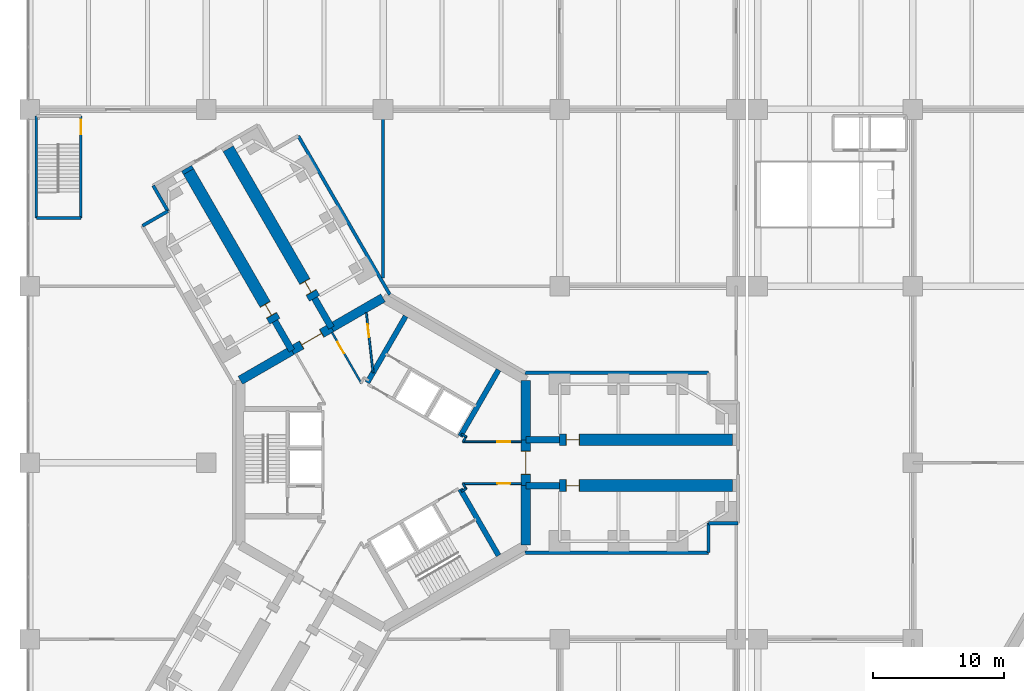
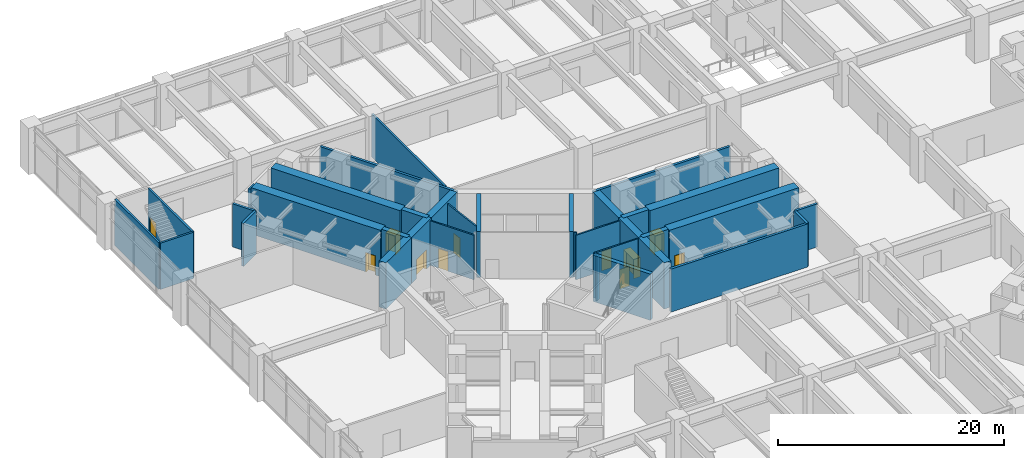
# One storey, part 23 of 31: 37 walls, 11 doors, 11 openings.
"""IFC4 building model written with IfcOpenShell, lengths in metres."""

from ifc_helpers import new_model, si_unit, direction, frame, frame_2d, origin, place, context, subcontext, project, spatial, rectangle, extrude, material, layer, layer_set, type_object, element, fill, save


model = new_model("IFC4")

# Units and contexts
model_context = context("Model", 3, precision=1e-05, world=origin(), true_north=direction((0.0, 1.0)))
body_context = subcontext(model_context, "Body", "Model", "MODEL_VIEW")
ifc_project = project(units=[si_unit("LENGTHUNIT", "METRE"), si_unit("AREAUNIT", "SQUARE_METRE"), si_unit("VOLUMEUNIT", "CUBIC_METRE"), si_unit("PLANEANGLEUNIT", "RADIAN"), si_unit("MASSUNIT", "GRAM", prefix="KILO")], contexts=[model_context])

# Site, building, storey
site_placement = place(None, origin())
site = spatial("IfcSite", under=ifc_project, at=site_placement, CompositionType="ELEMENT")
building_placement = place(site_placement, origin())
building = spatial("IfcBuilding", under=site, at=building_placement, Name="Upepo Twin Towers", CompositionType="ELEMENT")
storey_placement = place(building_placement, frame((0.0, 0.0, 15.5)))
storey = spatial("IfcBuildingStorey", under=building, at=storey_placement, Name="L03", CompositionType="ELEMENT", Elevation=15.5)

# Walls
ifc_material_1 = material(Name="Dense concrete blockwork", Category="masonry")
ifc_layer_1 = layer(ifc_material_1, 0.89990234375)
ifc_layer_set_1 = layer_set([ifc_layer_1], Name="Buttress closer 900, blockwork with fire-stopping to the curtain wall")
wall_type_1 = type_object("IfcWallType", Name="Buttress closer 900, blockwork with fire-stopping to the curtain wall", PredefinedType="PARTITIONING", material=ifc_layer_set_1)
wall_1_placement = place(storey_placement, frame((-14.865478515625, 22.247802734375, 0.0), z_axis=(0.0, 0.0, 1.0), x_axis=(-0.500426713919, 0.865778900179, 0.0)))
element("IfcWall", 1, at=wall_1_placement, inside=storey, type_object=wall_type_1, Name="T1 L03 wing B buttress closer L", PredefinedType="PARTITIONING", context=body_context, shape_type="SweptSolid", body=[
    extrude(rectangle(XDim=0.300048828125, YDim=0.89990234375, at=frame_2d((0.14990234375, 0.0))), origin(), (0.0, 0.0, 1.0), 4.800048828125),
])
ifc_material_2 = material(Name="Concrete C60/75", Category="concrete")
ifc_layer_2 = layer(ifc_material_2, 0.5)
ifc_layer_set_2 = layer_set([ifc_layer_2], Name="Concrete C60/75")
wall_type_2 = type_object("IfcWallType", Name="Buttress wall 500 RC", PredefinedType="SHEAR", material=ifc_layer_set_2)
for number, where, z_axis, x_axis, name in (
    (2, (10.908447265625, 1.75, 0.0), (0.0, 0.0, 1.0), (1.0, 0.0, 0.0), "T1 wing A buttress wall L"),
    (3, (10.908447265625, -1.75, 0.0), (0.0, 0.0, 1.0), (1.0, 0.0, 0.0), "T1 wing A buttress wall R"),
):
    element("IfcWall", number, at=place(storey_placement, frame(where, z_axis=z_axis, x_axis=x_axis)), inside=storey, type_object=wall_type_2, Name=name, PredefinedType="SHEAR", context=body_context, shape_type="SweptSolid", body=[
        extrude(rectangle(XDim=2.591552734375, YDim=0.5, at=frame_2d((1.2958984375, 0.0))), origin(), (0.0, 0.0, 1.0), 5.0),
    ])
for number, where, z_axis, x_axis, name in (
    (4, (-6.9697265625, 8.57177734375, 0.0), (0.0, 0.0, 1.0), (-0.499988811324, 0.866031863473, 0.0), "T1 wing B buttress wall L"),
    (5, (-3.938720703125, 10.32177734375, 0.0), (0.0, 0.0, 1.0), (-0.499918158782, 0.866072649678, 0.0), "T1 wing B buttress wall R"),
):
    element("IfcWall", number, at=place(storey_placement, frame(where, z_axis=z_axis, x_axis=x_axis)), inside=storey, type_object=wall_type_2, Name=name, PredefinedType="SHEAR", context=body_context, shape_type="SweptSolid", body=[
        extrude(rectangle(XDim=2.591796875, YDim=0.5, at=frame_2d((1.2958984375, 0.0))), origin(), (0.0, 0.0, 1.0), 5.0),
    ])

# Wall, opening, door
ifc_material_3 = material(Name="Concrete C60/75", Category="concrete")
ifc_layer_3 = layer(ifc_material_3, 0.89990234375)
ifc_layer_set_3 = layer_set([ifc_layer_3], Name="Concrete C60/75")
wall_type_3 = type_object("IfcWallType", Name="Buttress wall 900 RC", PredefinedType="SHEAR", material=ifc_layer_set_3)
wall_2_placement = place(storey_placement, frame((13.5, 1.75, 0.0), z_axis=(0.0, 0.0, 1.0), x_axis=(1.0, 0.0, 0.0)))
wall_2 = element("IfcWall", 6, at=wall_2_placement, inside=storey, type_object=wall_type_3, Name="T1 wing A buttress wall L part 2", PredefinedType="SHEAR", context=body_context, shape_type="SweptSolid", body=[
    extrude(rectangle(XDim=13.199951171875, YDim=0.89990234375, at=frame_2d((6.60009765625, 0.0))), origin(), (0.0, 0.0, 1.0), 5.0),
])
opening_1_placement = place(wall_2_placement, frame((0.5, 0.0, 0.0)))
opening_1 = element("IfcOpeningElement", 7, at=opening_1_placement, cuts=wall_2, Name="Opening D1", PredefinedType="OPENING", context=body_context, shape_type="SweptSolid", body=[
    extrude(rectangle(XDim=1.0, YDim=2.10009765625, at=frame_2d((0.5, 1.050048828125))), frame((0.0, 0.4599609375, 0.0), z_axis=(0.0, -1.0, 0.0), x_axis=(1.0, 0.0, 0.0)), (0.0, 0.0, 1.0), 0.919921875),
])
ifc_material_4 = material(Name="Timber doorset", Category="wood")
door_type_1 = type_object("IfcDoorType", Name="Room door 1000 FD30", OperationType="SINGLE_SWING_LEFT", PredefinedType="DOOR", material=ifc_material_4)
door_1_placement = place(opening_1_placement, origin())
door_1 = element("IfcDoor", 8, at=door_1_placement, inside=storey, type_object=door_type_1, Name="T1 L03 research office door", OperationType="SINGLE_SWING_LEFT", OverallHeight=2.10009765625, OverallWidth=1.0, PredefinedType="DOOR", context=body_context, shape_type="SweptSolid", body=[
    extrude(rectangle(XDim=0.92, YDim=2.06009765625, at=frame_2d((0.5, 1.030029296875))), frame((0.0, 0.02490234375, 0.0), z_axis=(0.0, -1.0, 0.0), x_axis=(1.0, 0.0, 0.0)), (0.0, 0.0, 1.0), 0.050048828125),
    extrude(rectangle(XDim=0.04, YDim=2.10009765625, at=frame_2d((0.02001953125, 1.050048828125))), frame((0.0, 0.44970703125, 0.0), z_axis=(0.0, -1.0, 0.0), x_axis=(1.0, 0.0, 0.0)), (0.0, 0.0, 1.0), 0.8994140625),
    extrude(rectangle(XDim=0.04, YDim=2.10009765625, at=frame_2d((0.97998046875, 1.050048828125))), frame((0.0, 0.44970703125, 0.0), z_axis=(0.0, -1.0, 0.0), x_axis=(1.0, 0.0, 0.0)), (0.0, 0.0, 1.0), 0.8994140625),
    extrude(rectangle(XDim=0.92, YDim=0.04, at=frame_2d((0.5, 2.080078125))), frame((0.0, 0.44970703125, 0.0), z_axis=(0.0, -1.0, 0.0), x_axis=(1.0, 0.0, 0.0)), (0.0, 0.0, 1.0), 0.8994140625),
])
fill(opening_1, door_1)

wall_3_placement = place(storey_placement, frame((13.5, -1.75, 0.0), z_axis=(0.0, 0.0, 1.0), x_axis=(1.0, 0.0, 0.0)))
wall_3 = element("IfcWall", 9, at=wall_3_placement, inside=storey, type_object=wall_type_3, Name="T1 wing A buttress wall R part 2", PredefinedType="SHEAR", context=body_context, shape_type="SweptSolid", body=[
    extrude(rectangle(XDim=13.199951171875, YDim=0.89990234375, at=frame_2d((6.60009765625, 0.0))), origin(), (0.0, 0.0, 1.0), 5.0),
])
opening_2_placement = place(wall_3_placement, frame((0.5, 0.0, 0.0)))
opening_2 = element("IfcOpeningElement", 10, at=opening_2_placement, cuts=wall_3, Name="Opening D1", PredefinedType="OPENING", context=body_context, shape_type="SweptSolid", body=[
    extrude(rectangle(XDim=1.0, YDim=2.10009765625, at=frame_2d((0.5, 1.050048828125))), frame((0.0, 0.4599609375, 0.0), z_axis=(0.0, -1.0, 0.0), x_axis=(1.0, 0.0, 0.0)), (0.0, 0.0, 1.0), 0.919921875),
])
door_2_placement = place(opening_2_placement, origin())
door_2 = element("IfcDoor", 11, at=door_2_placement, inside=storey, type_object=door_type_1, Name="T1 L03 research office door", OperationType="SINGLE_SWING_LEFT", OverallHeight=2.10009765625, OverallWidth=1.0, PredefinedType="DOOR", context=body_context, shape_type="SweptSolid", body=[
    extrude(rectangle(XDim=0.92, YDim=2.06009765625, at=frame_2d((0.5, 1.030029296875))), frame((0.0, 0.02490234375, 0.0), z_axis=(0.0, -1.0, 0.0), x_axis=(1.0, 0.0, 0.0)), (0.0, 0.0, 1.0), 0.050048828125),
    extrude(rectangle(XDim=0.04, YDim=2.10009765625, at=frame_2d((0.02001953125, 1.050048828125))), frame((0.0, 0.44970703125, 0.0), z_axis=(0.0, -1.0, 0.0), x_axis=(1.0, 0.0, 0.0)), (0.0, 0.0, 1.0), 0.8994140625),
    extrude(rectangle(XDim=0.04, YDim=2.10009765625, at=frame_2d((0.97998046875, 1.050048828125))), frame((0.0, 0.44970703125, 0.0), z_axis=(0.0, -1.0, 0.0), x_axis=(1.0, 0.0, 0.0)), (0.0, 0.0, 1.0), 0.8994140625),
    extrude(rectangle(XDim=0.92, YDim=0.04, at=frame_2d((0.5, 2.080078125))), frame((0.0, 0.44970703125, 0.0), z_axis=(0.0, -1.0, 0.0), x_axis=(1.0, 0.0, 0.0)), (0.0, 0.0, 1.0), 0.8994140625),
])
fill(opening_2, door_2)

wall_4_placement = place(storey_placement, frame((-8.265625, 10.81640625, 0.0), z_axis=(0.0, 0.0, 1.0), x_axis=(-0.499996231654, 0.866027579429, 0.0)))
wall_4 = element("IfcWall", 12, at=wall_4_placement, inside=storey, type_object=wall_type_3, Name="T1 wing B buttress wall L part 2", PredefinedType="SHEAR", context=body_context, shape_type="SweptSolid", body=[
    extrude(rectangle(XDim=13.19970703125, YDim=0.89990234375, at=frame_2d((6.599853515625, 0.0))), origin(), (0.0, 0.0, 1.0), 5.0),
])
opening_3_placement = place(wall_4_placement, frame((0.5, 0.0, 0.0)))
opening_3 = element("IfcOpeningElement", 13, at=opening_3_placement, cuts=wall_4, Name="Opening D1", PredefinedType="OPENING", context=body_context, shape_type="SweptSolid", body=[
    extrude(rectangle(XDim=1.0, YDim=2.10009765625, at=frame_2d((0.5, 1.050048828125))), frame((0.0, 0.4599609375, 0.0), z_axis=(0.0, -1.0, 0.0), x_axis=(1.0, 0.0, 0.0)), (0.0, 0.0, 1.0), 0.919921875),
])
door_3_placement = place(opening_3_placement, origin())
door_3 = element("IfcDoor", 14, at=door_3_placement, inside=storey, type_object=door_type_1, Name="T1 L03 research office door", OperationType="SINGLE_SWING_LEFT", OverallHeight=2.10009765625, OverallWidth=1.0, PredefinedType="DOOR", context=body_context, shape_type="SweptSolid", body=[
    extrude(rectangle(XDim=0.92, YDim=2.06009765625, at=frame_2d((0.5, 1.030029296875))), frame((0.0, 0.02490234375, 0.0), z_axis=(0.0, -1.0, 0.0), x_axis=(1.0, 0.0, 0.0)), (0.0, 0.0, 1.0), 0.050048828125),
    extrude(rectangle(XDim=0.04, YDim=2.10009765625, at=frame_2d((0.02001953125, 1.050048828125))), frame((0.0, 0.44970703125, 0.0), z_axis=(0.0, -1.0, 0.0), x_axis=(1.0, 0.0, 0.0)), (0.0, 0.0, 1.0), 0.8994140625),
    extrude(rectangle(XDim=0.04, YDim=2.10009765625, at=frame_2d((0.97998046875, 1.050048828125))), frame((0.0, 0.44970703125, 0.0), z_axis=(0.0, -1.0, 0.0), x_axis=(1.0, 0.0, 0.0)), (0.0, 0.0, 1.0), 0.8994140625),
    extrude(rectangle(XDim=0.92, YDim=0.04, at=frame_2d((0.5, 2.080078125))), frame((0.0, 0.44970703125, 0.0), z_axis=(0.0, -1.0, 0.0), x_axis=(1.0, 0.0, 0.0)), (0.0, 0.0, 1.0), 0.8994140625),
])
fill(opening_3, door_3)

wall_5_placement = place(storey_placement, frame((-5.234375, 12.56640625, 0.0), z_axis=(0.0, 0.0, 1.0), x_axis=(-0.500010103361, 0.866019570528, 0.0)))
wall_5 = element("IfcWall", 15, at=wall_5_placement, inside=storey, type_object=wall_type_3, Name="T1 wing B buttress wall R part 2", PredefinedType="SHEAR", context=body_context, shape_type="SweptSolid", body=[
    extrude(rectangle(XDim=13.199951171875, YDim=0.89990234375, at=frame_2d((6.60009765625, 0.0))), origin(), (0.0, 0.0, 1.0), 5.0),
])
opening_4_placement = place(wall_5_placement, frame((0.5, 0.0, 0.0)))
opening_4 = element("IfcOpeningElement", 16, at=opening_4_placement, cuts=wall_5, Name="Opening D1", PredefinedType="OPENING", context=body_context, shape_type="SweptSolid", body=[
    extrude(rectangle(XDim=1.0, YDim=2.10009765625, at=frame_2d((0.5, 1.050048828125))), frame((0.0, 0.4599609375, 0.0), z_axis=(0.0, -1.0, 0.0), x_axis=(1.0, 0.0, 0.0)), (0.0, 0.0, 1.0), 0.919921875),
])
door_4_placement = place(opening_4_placement, origin())
door_4 = element("IfcDoor", 17, at=door_4_placement, inside=storey, type_object=door_type_1, Name="T1 L03 research office door", OperationType="SINGLE_SWING_LEFT", OverallHeight=2.10009765625, OverallWidth=1.0, PredefinedType="DOOR", context=body_context, shape_type="SweptSolid", body=[
    extrude(rectangle(XDim=0.92, YDim=2.06009765625, at=frame_2d((0.5, 1.030029296875))), frame((0.0, 0.02490234375, 0.0), z_axis=(0.0, -1.0, 0.0), x_axis=(1.0, 0.0, 0.0)), (0.0, 0.0, 1.0), 0.050048828125),
    extrude(rectangle(XDim=0.04, YDim=2.10009765625, at=frame_2d((0.02001953125, 1.050048828125))), frame((0.0, 0.44970703125, 0.0), z_axis=(0.0, -1.0, 0.0), x_axis=(1.0, 0.0, 0.0)), (0.0, 0.0, 1.0), 0.8994140625),
    extrude(rectangle(XDim=0.04, YDim=2.10009765625, at=frame_2d((0.97998046875, 1.050048828125))), frame((0.0, 0.44970703125, 0.0), z_axis=(0.0, -1.0, 0.0), x_axis=(1.0, 0.0, 0.0)), (0.0, 0.0, 1.0), 0.8994140625),
    extrude(rectangle(XDim=0.92, YDim=0.04, at=frame_2d((0.5, 2.080078125))), frame((0.0, 0.44970703125, 0.0), z_axis=(0.0, -1.0, 0.0), x_axis=(1.0, 0.0, 0.0)), (0.0, 0.0, 1.0), 0.8994140625),
])
fill(opening_4, door_4)

# Wall
ifc_material_5 = material(Name="Concrete C60/75", Category="concrete")
ifc_layer_4 = layer(ifc_material_5, 0.699951171875)
ifc_layer_set_4 = layer_set([ifc_layer_4], Name="Concrete C60/75")
wall_type_4 = type_object("IfcWallType", Name="Core wall 700 RC", PredefinedType="SHEAR", material=ifc_layer_set_4)
wall_6_placement = place(storey_placement, frame((10.908447265625, -6.2978515625, 0.0), z_axis=(0.0, 0.0, 1.0), x_axis=(0.0, 1.0, 0.0)))
element("IfcWall", 18, at=wall_6_placement, inside=storey, type_object=wall_type_4, Name="T1 core wall 000 R", PredefinedType="SHEAR", context=body_context, shape_type="SweptSolid", body=[
    extrude(rectangle(XDim=4.5478515625, YDim=0.699951171875, at=frame_2d((2.27392578125, 0.0))), origin(), (0.0, 0.0, 1.0), 5.0),
])

# Wall, opening, door
wall_7_placement = place(storey_placement, frame((10.908447265625, -1.75, 0.0), z_axis=(0.0, 0.0, 1.0), x_axis=(0.0, 1.0, 0.0)))
wall_7 = element("IfcWall", 19, at=wall_7_placement, inside=storey, type_object=wall_type_4, Name="T1 core wall 000", PredefinedType="SHEAR", context=body_context, shape_type="SweptSolid", body=[
    extrude(rectangle(XDim=3.5, YDim=0.699951171875, at=frame_2d((1.75, 0.0))), origin(), (0.0, 0.0, 1.0), 5.0),
])
opening_5_placement = place(wall_7_placement, frame((0.85009765625, 0.0, 0.0)))
opening_5 = element("IfcOpeningElement", 20, at=opening_5_placement, cuts=wall_7, Name="Opening D2", PredefinedType="OPENING", context=body_context, shape_type="SweptSolid", body=[
    extrude(rectangle(XDim=1.800048828125, YDim=2.10009765625, at=frame_2d((0.89990234375, 1.050048828125))), frame((0.0, 0.35986328125, 0.0), z_axis=(0.0, -1.0, 0.0), x_axis=(1.0, 0.0, 0.0)), (0.0, 0.0, 1.0), 0.719970703125),
])
ifc_material_6 = material(Name="Timber doorset", Category="wood")
door_type_2 = type_object("IfcDoorType", Name="Corridor double door 1800 FD60", OperationType="DOUBLE_DOOR_DOUBLE_SWING", PredefinedType="DOOR", material=ifc_material_6)
door_5_placement = place(opening_5_placement, origin())
door_5 = element("IfcDoor", 21, at=door_5_placement, inside=storey, type_object=door_type_2, Name="T1 L03 wing A corridor door", OperationType="DOUBLE_DOOR_DOUBLE_SWING", OverallHeight=2.10009765625, OverallWidth=1.800048828125, PredefinedType="DOOR", context=body_context, shape_type="SweptSolid", body=[
    extrude(rectangle(XDim=1.720048828125, YDim=2.06009765625, at=frame_2d((0.89990234375, 1.030029296875))), frame((0.0, 0.02490234375, 0.0), z_axis=(0.0, -1.0, 0.0), x_axis=(1.0, 0.0, 0.0)), (0.0, 0.0, 1.0), 0.050048828125),
    extrude(rectangle(XDim=0.04, YDim=2.10009765625, at=frame_2d((0.02001953125, 1.050048828125))), frame((0.0, 0.349609375, 0.0), z_axis=(0.0, -1.0, 0.0), x_axis=(1.0, 0.0, 0.0)), (0.0, 0.0, 1.0), 0.699462890625),
    extrude(rectangle(XDim=0.04, YDim=2.10009765625, at=frame_2d((1.780029296875, 1.050048828125))), frame((0.0, 0.349609375, 0.0), z_axis=(0.0, -1.0, 0.0), x_axis=(1.0, 0.0, 0.0)), (0.0, 0.0, 1.0), 0.699462890625),
    extrude(rectangle(XDim=1.720048828125, YDim=0.04, at=frame_2d((0.89990234375, 2.080078125))), frame((0.0, 0.349609375, 0.0), z_axis=(0.0, -1.0, 0.0), x_axis=(1.0, 0.0, 0.0)), (0.0, 0.0, 1.0), 0.699462890625),
])
fill(opening_5, door_5)

# Walls
wall_8_placement = place(storey_placement, frame((10.908447265625, 1.75, 0.0), z_axis=(0.0, 0.0, 1.0), x_axis=(0.0, 1.0, 0.0)))
element("IfcWall", 22, at=wall_8_placement, inside=storey, type_object=wall_type_4, Name="T1 core wall 000 L", PredefinedType="SHEAR", context=body_context, shape_type="SweptSolid", body=[
    extrude(rectangle(XDim=4.5478515625, YDim=0.699951171875, at=frame_2d((2.27392578125, 0.0))), origin(), (0.0, 0.0, 1.0), 5.0),
])
wall_9_placement = place(storey_placement, frame((0.0, 12.595947265625, 0.0), z_axis=(0.0, 0.0, 1.0), x_axis=(-0.866011268655, -0.500024481964, 0.0)))
element("IfcWall", 23, at=wall_9_placement, inside=storey, type_object=wall_type_4, Name="T1 core wall 120 R", PredefinedType="SHEAR", context=body_context, shape_type="SweptSolid", body=[
    extrude(rectangle(XDim=4.548095703125, YDim=0.699951171875, at=frame_2d((2.27392578125, 0.0))), origin(), (0.0, 0.0, 1.0), 5.0),
])

# Wall, opening, door
wall_10_placement = place(storey_placement, frame((-3.938720703125, 10.32177734375, 0.0), z_axis=(0.0, 0.0, 1.0), x_axis=(-0.866019471182, -0.500010275428, 0.0)))
wall_10 = element("IfcWall", 24, at=wall_10_placement, inside=storey, type_object=wall_type_4, Name="T1 core wall 120", PredefinedType="SHEAR", context=body_context, shape_type="SweptSolid", body=[
    extrude(rectangle(XDim=3.5, YDim=0.699951171875, at=frame_2d((1.75, 0.0))), origin(), (0.0, 0.0, 1.0), 5.0),
])
opening_6_placement = place(wall_10_placement, frame((0.85009765625, 0.0, 0.0)))
opening_6 = element("IfcOpeningElement", 25, at=opening_6_placement, cuts=wall_10, Name="Opening D2", PredefinedType="OPENING", context=body_context, shape_type="SweptSolid", body=[
    extrude(rectangle(XDim=1.800048828125, YDim=2.10009765625, at=frame_2d((0.89990234375, 1.050048828125))), frame((0.0, 0.35986328125, 0.0), z_axis=(0.0, -1.0, 0.0), x_axis=(1.0, 0.0, 0.0)), (0.0, 0.0, 1.0), 0.719970703125),
])
door_6_placement = place(opening_6_placement, origin())
door_6 = element("IfcDoor", 26, at=door_6_placement, inside=storey, type_object=door_type_2, Name="T1 L03 wing B corridor door", OperationType="DOUBLE_DOOR_DOUBLE_SWING", OverallHeight=2.10009765625, OverallWidth=1.800048828125, PredefinedType="DOOR", context=body_context, shape_type="SweptSolid", body=[
    extrude(rectangle(XDim=1.720048828125, YDim=2.06009765625, at=frame_2d((0.89990234375, 1.030029296875))), frame((0.0, 0.02490234375, 0.0), z_axis=(0.0, -1.0, 0.0), x_axis=(1.0, 0.0, 0.0)), (0.0, 0.0, 1.0), 0.050048828125),
    extrude(rectangle(XDim=0.04, YDim=2.10009765625, at=frame_2d((0.02001953125, 1.050048828125))), frame((0.0, 0.349609375, 0.0), z_axis=(0.0, -1.0, 0.0), x_axis=(1.0, 0.0, 0.0)), (0.0, 0.0, 1.0), 0.699462890625),
    extrude(rectangle(XDim=0.04, YDim=2.10009765625, at=frame_2d((1.780029296875, 1.050048828125))), frame((0.0, 0.349609375, 0.0), z_axis=(0.0, -1.0, 0.0), x_axis=(1.0, 0.0, 0.0)), (0.0, 0.0, 1.0), 0.699462890625),
    extrude(rectangle(XDim=1.720048828125, YDim=0.04, at=frame_2d((0.89990234375, 2.080078125))), frame((0.0, 0.349609375, 0.0), z_axis=(0.0, -1.0, 0.0), x_axis=(1.0, 0.0, 0.0)), (0.0, 0.0, 1.0), 0.699462890625),
])
fill(opening_6, door_6)

# Walls
wall_11_placement = place(storey_placement, frame((-6.9697265625, 8.57177734375, 0.0), z_axis=(0.0, 0.0, 1.0), x_axis=(-0.866034513004, -0.499984222037, 0.0)))
element("IfcWall", 27, at=wall_11_placement, inside=storey, type_object=wall_type_4, Name="T1 core wall 120 L", PredefinedType="SHEAR", context=body_context, shape_type="SweptSolid", body=[
    extrude(rectangle(XDim=4.548095703125, YDim=0.699951171875, at=frame_2d((2.27392578125, 0.0))), origin(), (0.0, 0.0, 1.0), 5.0),
])
ifc_material_7 = material(Name="Concrete blockwork", Category="masonry")
ifc_layer_5 = layer(ifc_material_7, 0.199951171875)
ifc_layer_set_5 = layer_set([ifc_layer_5], Name="Podium partition 200 blockwork")
wall_type_5 = type_object("IfcWallType", Name="Podium partition 200 blockwork", PredefinedType="PARTITIONING", material=ifc_layer_set_5)
wall_12_placement = place(storey_placement, frame((0.0, 14.10009765625, 0.0), z_axis=(0.0, 0.0, 1.0), x_axis=(0.0, 1.0, 0.0)))
element("IfcWall", 28, at=wall_12_placement, inside=storey, type_object=wall_type_5, Name="L03 podium wall X24", PredefinedType="PARTITIONING", context=body_context, shape_type="SweptSolid", body=[
    extrude(rectangle(XDim=12.89990234375, YDim=0.199951171875, at=frame_2d((6.449951171875, 0.0))), origin(), (0.0, 0.0, 1.0), 4.64990234375),
])
ifc_material_8 = material(Name="Concrete C40/50", Category="concrete")
ifc_layer_6 = layer(ifc_material_8, 0.199951171875)
ifc_layer_set_6 = layer_set([ifc_layer_6], Name="Concrete C40/50")
wall_type_6 = type_object("IfcWallType", Name="Podium stair enclosure 200 RC", PredefinedType="SHEAR", material=ifc_layer_set_6)
wall_13_placement = place(storey_placement, frame((-26.5, 18.699951171875, 0.0), z_axis=(0.0, 0.0, 1.0), x_axis=(1.0, 0.0, 0.0)))
element("IfcWall", 29, at=wall_13_placement, inside=storey, type_object=wall_type_6, Name="PS1 L03 enclosure wall 1", PredefinedType="SHEAR", context=body_context, shape_type="SweptSolid", body=[
    extrude(rectangle(XDim=3.39990234375, YDim=0.199951171875, at=frame_2d((1.699951171875, 0.0))), origin(), (0.0, 0.0, 1.0), 5.0),
])

# Wall, opening, door
wall_14_placement = place(storey_placement, frame((-23.10009765625, 18.699951171875, 0.0), z_axis=(0.0, 0.0, 1.0), x_axis=(0.0, 1.0, 0.0)))
wall_14 = element("IfcWall", 30, at=wall_14_placement, inside=storey, type_object=wall_type_6, Name="PS1 L03 enclosure wall 2", PredefinedType="SHEAR", context=body_context, shape_type="SweptSolid", body=[
    extrude(rectangle(XDim=7.800048828125, YDim=0.199951171875, at=frame_2d((3.89990234375, 0.0))), origin(), (0.0, 0.0, 1.0), 5.0),
])
opening_7_placement = place(wall_14_placement, frame((6.39990234375, 0.0, 0.0)))
opening_7 = element("IfcOpeningElement", 31, at=opening_7_placement, cuts=wall_14, Name="Opening D3", PredefinedType="OPENING", context=body_context, shape_type="SweptSolid", body=[
    extrude(rectangle(XDim=1.10009765625, YDim=2.10009765625, at=frame_2d((0.550048828125, 1.050048828125))), frame((0.0, 0.10986328125, 0.0), z_axis=(0.0, -1.0, 0.0), x_axis=(1.0, 0.0, 0.0)), (0.0, 0.0, 1.0), 0.219970703125),
])
ifc_material_9 = material(Name="Timber doorset", Category="wood")
door_type_3 = type_object("IfcDoorType", Name="Stair door 1100 FD60", OperationType="SINGLE_SWING_LEFT", PredefinedType="DOOR", material=ifc_material_9)
door_7_placement = place(opening_7_placement, origin())
door_7 = element("IfcDoor", 32, at=door_7_placement, inside=storey, type_object=door_type_3, Name="PS1 L03 door", OperationType="SINGLE_SWING_RIGHT", OverallHeight=2.10009765625, OverallWidth=1.10009765625, PredefinedType="DOOR", context=body_context, shape_type="SweptSolid", body=[
    extrude(rectangle(XDim=1.10009765625, YDim=2.10009765625, at=frame_2d((0.550048828125, 1.050048828125))), frame((0.0, 0.02490234375, 0.0), z_axis=(0.0, -1.0, 0.0), x_axis=(1.0, 0.0, 0.0)), (0.0, 0.0, 1.0), 0.050048828125),
])
fill(opening_7, door_7)

# Walls
wall_15_placement = place(storey_placement, frame((-26.5, 26.5, 0.0), z_axis=(0.0, 0.0, 1.0), x_axis=(0.0, -1.0, 0.0)))
element("IfcWall", 33, at=wall_15_placement, inside=storey, type_object=wall_type_6, Name="PS1 L03 enclosure wall 4", PredefinedType="SHEAR", context=body_context, shape_type="SweptSolid", body=[
    extrude(rectangle(XDim=7.800048828125, YDim=0.199951171875, at=frame_2d((3.89990234375, 0.0))), origin(), (0.0, 0.0, 1.0), 5.0),
])
ifc_material_10 = material(Name="Concrete C40/50", Category="concrete")
ifc_layer_7 = layer(ifc_material_10, 0.39990234375)
ifc_layer_set_7 = layer_set([ifc_layer_7], Name="Concrete C40/50")
wall_type_7 = type_object("IfcWallType", Name="Shaft wall 400 RC", PredefinedType="SHEAR", material=ifc_layer_set_7)
for number, where, z_axis, x_axis, name in (
    (34, (-1.20068359375, 6.120361328125, 0.0), (0.0, 0.0, 1.0), (0.500002627198, 0.866023886965, 0.0), "T1 core W60 side wall N"),
    (35, (5.900634765625, 2.020263671875, 0.0), (0.0, 0.0, 1.0), (0.500002627198, 0.866023886965, 0.0), "T1 core W60 side wall S"),
    (36, (5.900634765625, -2.020263671875, 0.0), (0.0, 0.0, 1.0), (0.500002627198, -0.866023886965, 0.0), "T1 core W300 side wall N"),
):
    element("IfcWall", number, at=place(storey_placement, frame(where, z_axis=z_axis, x_axis=x_axis)), inside=storey, type_object=wall_type_7, Name=name, PredefinedType="SHEAR", context=body_context, shape_type="SweptSolid", body=[
        extrude(rectangle(XDim=5.8583984375, YDim=0.39990234375, at=frame_2d((2.92919921875, 0.0))), origin(), (0.0, 0.0, 1.0), 5.0),
    ])
ifc_material_11 = material(Name="Gypsum board on steel studs", Category="steel")
ifc_layer_8 = layer(ifc_material_11, 0.14990234375)
ifc_layer_set_8 = layer_set([ifc_layer_8], Name="Teaching partition 150 acoustic")
wall_type_8 = type_object("IfcWallType", Name="Teaching partition 150 acoustic", PredefinedType="PARTITIONING", material=ifc_layer_set_8)
wall_16_placement = place(storey_placement, frame((6.364501953125, -1.9833984375, 0.0), z_axis=(0.0, 0.0, 1.0), x_axis=(-0.865892400268, -0.500230298122, 0.0)))
element("IfcWall", 37, at=wall_16_placement, inside=storey, type_object=wall_type_8, Name="T1 core room partition 1", PredefinedType="PARTITIONING", context=body_context, shape_type="SweptSolid", body=[
    extrude(rectangle(XDim=0.429931640625, YDim=0.14990234375, at=frame_2d((0.21484375, 0.0))), origin(), (0.0, 0.0, 1.0), 4.800048828125),
])

# Wall, opening, door
wall_17_placement = place(storey_placement, frame((-3.8984375, 9.952392578125, 0.0), z_axis=(0.0, 0.0, 1.0), x_axis=(0.499999927604, -0.866025445582, 0.0)))
wall_17 = element("IfcWall", 38, at=wall_17_placement, inside=storey, type_object=wall_type_8, Name="T1 core room partition 11", PredefinedType="PARTITIONING", context=body_context, shape_type="SweptSolid", body=[
    extrude(rectangle(XDim=4.46826171875, YDim=0.14990234375, at=frame_2d((2.234130859375, 0.0))), origin(), (0.0, 0.0, 1.0), 4.800048828125),
])
opening_8_placement = place(wall_17_placement, frame((0.83447265625, 0.0, 0.0)))
opening_8 = element("IfcOpeningElement", 39, at=opening_8_placement, cuts=wall_17, Name="Opening D1", PredefinedType="OPENING", context=body_context, shape_type="SweptSolid", body=[
    extrude(rectangle(XDim=1.0, YDim=2.10009765625, at=frame_2d((0.5, 1.050048828125))), frame((0.0, 0.0849609375, 0.0), z_axis=(0.0, -1.0, 0.0), x_axis=(1.0, 0.0, 0.0)), (0.0, 0.0, 1.0), 0.169921875),
])
door_8_placement = place(opening_8_placement, origin())
door_8 = element("IfcDoor", 40, at=door_8_placement, inside=storey, type_object=door_type_1, Name="T1 L03 core room door K5", OperationType="SINGLE_SWING_LEFT", OverallHeight=2.10009765625, OverallWidth=1.0, PredefinedType="DOOR", context=body_context, shape_type="SweptSolid", body=[
    extrude(rectangle(XDim=1.0, YDim=2.10009765625, at=frame_2d((0.5, 1.050048828125))), frame((0.0, 0.02490234375, 0.0), z_axis=(0.0, -1.0, 0.0), x_axis=(1.0, 0.0, 0.0)), (0.0, 0.0, 1.0), 0.050048828125),
])
fill(opening_8, door_8)

# Walls
wall_18_placement = place(storey_placement, frame((5.9921875, 2.198486328125, 0.0), z_axis=(0.0, 0.0, 1.0), x_axis=(0.865892400268, -0.500230298122, 0.0)))
element("IfcWall", 41, at=wall_18_placement, inside=storey, type_object=wall_type_8, Name="T1 core room partition 14", PredefinedType="PARTITIONING", context=body_context, shape_type="SweptSolid", body=[
    extrude(rectangle(XDim=0.429931640625, YDim=0.14990234375, at=frame_2d((0.21484375, 0.0))), origin(), (0.0, 0.0, 1.0), 4.800048828125),
])
wall_19_placement = place(storey_placement, frame((6.357177734375, 2.0107421875, 0.0), z_axis=(0.0, 0.0, 1.0), x_axis=(-0.50033519877, -0.865831790172, 0.0)))
element("IfcWall", 42, at=wall_19_placement, inside=storey, type_object=wall_type_8, Name="T1 core room partition 15", PredefinedType="PARTITIONING", context=body_context, shape_type="SweptSolid", body=[
    extrude(rectangle(XDim=0.494384765625, YDim=0.14990234375, at=frame_2d((0.2470703125, 0.0))), origin(), (0.0, 0.0, 1.0), 4.800048828125),
])

# Wall, opening, door
wall_20_placement = place(storey_placement, frame((6.099853515625, 1.60009765625, 0.0), z_axis=(0.0, 0.0, 1.0), x_axis=(1.0, 0.0, 0.0)))
wall_20 = element("IfcWall", 43, at=wall_20_placement, inside=storey, type_object=wall_type_8, Name="T1 core room partition 16", PredefinedType="PARTITIONING", context=body_context, shape_type="SweptSolid", body=[
    extrude(rectangle(XDim=4.468505859375, YDim=0.14990234375, at=frame_2d((2.234375, 0.0))), origin(), (0.0, 0.0, 1.0), 4.800048828125),
])
opening_9_placement = place(wall_20_placement, frame((2.634033203125, 0.0, 0.0)))
opening_9 = element("IfcOpeningElement", 44, at=opening_9_placement, cuts=wall_20, Name="Opening D1", PredefinedType="OPENING", context=body_context, shape_type="SweptSolid", body=[
    extrude(rectangle(XDim=1.0, YDim=2.10009765625, at=frame_2d((0.5, 1.050048828125))), frame((0.0, 0.0849609375, 0.0), z_axis=(0.0, -1.0, 0.0), x_axis=(1.0, 0.0, 0.0)), (0.0, 0.0, 1.0), 0.169921875),
])
door_9_placement = place(opening_9_placement, origin())
door_9 = element("IfcDoor", 45, at=door_9_placement, inside=storey, type_object=door_type_1, Name="T1 L03 core room door K4", OperationType="SINGLE_SWING_RIGHT", OverallHeight=2.10009765625, OverallWidth=1.0, PredefinedType="DOOR", context=body_context, shape_type="SweptSolid", body=[
    extrude(rectangle(XDim=1.0, YDim=2.10009765625, at=frame_2d((0.5, 1.050048828125))), frame((0.0, 0.02490234375, 0.0), z_axis=(0.0, -1.0, 0.0), x_axis=(1.0, 0.0, 0.0)), (0.0, 0.0, 1.0), 0.050048828125),
])
fill(opening_9, door_9)

wall_21_placement = place(storey_placement, frame((10.568359375, -1.60009765625, 0.0), z_axis=(0.0, 0.0, 1.0), x_axis=(-1.0, 0.0, 0.0)))
wall_21 = element("IfcWall", 46, at=wall_21_placement, inside=storey, type_object=wall_type_8, Name="T1 core room partition 17", PredefinedType="PARTITIONING", context=body_context, shape_type="SweptSolid", body=[
    extrude(rectangle(XDim=4.468505859375, YDim=0.14990234375, at=frame_2d((2.234375, 0.0))), origin(), (0.0, 0.0, 1.0), 4.800048828125),
])
opening_10_placement = place(wall_21_placement, frame((0.83447265625, 0.0, 0.0)))
opening_10 = element("IfcOpeningElement", 47, at=opening_10_placement, cuts=wall_21, Name="Opening D1", PredefinedType="OPENING", context=body_context, shape_type="SweptSolid", body=[
    extrude(rectangle(XDim=1.0, YDim=2.10009765625, at=frame_2d((0.5, 1.050048828125))), frame((0.0, 0.0849609375, 0.0), z_axis=(0.0, -1.0, 0.0), x_axis=(1.0, 0.0, 0.0)), (0.0, 0.0, 1.0), 0.169921875),
])
door_10_placement = place(opening_10_placement, origin())
door_10 = element("IfcDoor", 48, at=door_10_placement, inside=storey, type_object=door_type_1, Name="T1 L03 core room door K3", OperationType="SINGLE_SWING_LEFT", OverallHeight=2.10009765625, OverallWidth=1.0, PredefinedType="DOOR", context=body_context, shape_type="SweptSolid", body=[
    extrude(rectangle(XDim=1.0, YDim=2.10009765625, at=frame_2d((0.5, 1.050048828125))), frame((0.0, 0.02490234375, 0.0), z_axis=(0.0, -1.0, 0.0), x_axis=(1.0, 0.0, 0.0)), (0.0, 0.0, 1.0), 0.050048828125),
])
fill(opening_10, door_10)

# Wall
wall_22_placement = place(storey_placement, frame((6.10986328125, -1.582763671875, 0.0), z_axis=(0.0, 0.0, 1.0), x_axis=(0.50033519877, -0.865831790172, 0.0)))
element("IfcWall", 49, at=wall_22_placement, inside=storey, type_object=wall_type_8, Name="T1 core room partition 18", PredefinedType="PARTITIONING", context=body_context, shape_type="SweptSolid", body=[
    extrude(rectangle(XDim=0.494384765625, YDim=0.14990234375, at=frame_2d((0.2470703125, 0.0))), origin(), (0.0, 0.0, 1.0), 4.800048828125),
])

# Wall, opening, door
wall_23_placement = place(storey_placement, frame((-0.763916015625, 6.876953125, 0.0), z_axis=(0.0, 0.0, 1.0), x_axis=(-0.110408266965, 0.993886318744, 0.0)))
wall_23 = element("IfcWall", 50, at=wall_23_placement, inside=storey, type_object=wall_type_8, Name="T1 core room partition 19", PredefinedType="PARTITIONING", context=body_context, shape_type="SweptSolid", body=[
    extrude(rectangle(XDim=4.608154296875, YDim=0.14990234375, at=frame_2d((2.30419921875, 0.0))), origin(), (0.0, 0.0, 1.0), 4.800048828125),
])
opening_11_placement = place(wall_23_placement, frame((2.725830078125, 0.0, 0.0)))
opening_11 = element("IfcOpeningElement", 51, at=opening_11_placement, cuts=wall_23, Name="Opening D1", PredefinedType="OPENING", context=body_context, shape_type="SweptSolid", body=[
    extrude(rectangle(XDim=1.0, YDim=2.10009765625, at=frame_2d((0.5, 1.050048828125))), frame((0.0, 0.0849609375, 0.0), z_axis=(0.0, -1.0, 0.0), x_axis=(1.0, 0.0, 0.0)), (0.0, 0.0, 1.0), 0.169921875),
])
door_11_placement = place(opening_11_placement, origin())
door_11 = element("IfcDoor", 52, at=door_11_placement, inside=storey, type_object=door_type_1, Name="T1 L03 core room door K6", OperationType="SINGLE_SWING_RIGHT", OverallHeight=2.10009765625, OverallWidth=1.0, PredefinedType="DOOR", context=body_context, shape_type="SweptSolid", body=[
    extrude(rectangle(XDim=1.0, YDim=2.10009765625, at=frame_2d((0.5, 1.050048828125))), frame((0.0, 0.02490234375, 0.0), z_axis=(0.0, -1.0, 0.0), x_axis=(1.0, 0.0, 0.0)), (0.0, 0.0, 1.0), 0.050048828125),
])
fill(opening_11, door_11)

# Walls
ifc_material_12 = material(Name="Concrete blockwork", Category="masonry")
ifc_layer_9 = layer(ifc_material_12, 0.25)
ifc_layer_set_9 = layer_set([ifc_layer_9], Name="Tower enclosure wall 250 blockwork")
wall_type_9 = type_object("IfcWallType", Name="Tower enclosure wall 250 blockwork", PredefinedType="STANDARD", material=ifc_layer_set_9)
for number, where, z_axis, x_axis, name in (
    (53, (-18.391357421875, 18.10498046875, 0.0), (0.0, 0.0, 1.0), (0.866017533419, 0.500013631625, 0.0), "T1 L03 enclosure wall 8"),
    (54, (-16.44287109375, 19.22998046875, 0.0), (0.0, 0.0, 1.0), (-0.500013631625, 0.866017533419, 0.0), "T1 L03 enclosure wall 9"),
):
    element("IfcWall", number, at=place(storey_placement, frame(where, z_axis=z_axis, x_axis=x_axis)), inside=storey, type_object=wall_type_9, Name=name, PredefinedType="STANDARD", context=body_context, shape_type="SweptSolid", body=[
        extrude(rectangle(XDim=2.25, YDim=0.25, at=frame_2d((1.125, 0.0))), origin(), (0.0, 0.0, 1.0), 4.64990234375),
    ])
for number, where, z_axis, x_axis, name in (
    (55, (-6.483642578125, 24.97998046875, 0.0), (0.0, 0.0, 1.0), (0.499996367808, -0.866027500821, 0.0), "T1 L03 enclosure wall 13"),
    (56, (10.85888671875, 6.875, 0.0), (0.0, 0.0, 1.0), (1.0, 0.0, 0.0), "T1 L03 enclosure wall 15"),
):
    element("IfcWall", number, at=place(storey_placement, frame(where, z_axis=z_axis, x_axis=x_axis)), inside=storey, type_object=wall_type_9, Name=name, PredefinedType="STANDARD", context=body_context, shape_type="SweptSolid", body=[
        extrude(rectangle(XDim=14.01611328125, YDim=0.25, at=frame_2d((7.008056640625, 0.0))), origin(), (0.0, 0.0, 1.0), 4.64990234375),
    ])
for number, where, z_axis, x_axis, name in (
    (57, (27.125, -4.625, 0.0), (0.0, 0.0, 1.0), (-1.0, 0.0, 0.0), "T1 L03 enclosure wall 19"),
    (58, (24.875, -4.625, 0.0), (0.0, 0.0, 1.0), (0.0, -1.0, 0.0), "T1 L03 enclosure wall 20"),
):
    element("IfcWall", number, at=place(storey_placement, frame(where, z_axis=z_axis, x_axis=x_axis)), inside=storey, type_object=wall_type_9, Name=name, PredefinedType="STANDARD", context=body_context, shape_type="SweptSolid", body=[
        extrude(rectangle(XDim=2.25, YDim=0.25, at=frame_2d((1.125, 0.0))), origin(), (0.0, 0.0, 1.0), 4.64990234375),
    ])
wall_24_placement = place(storey_placement, frame((24.875, -6.875, 0.0), z_axis=(0.0, 0.0, 1.0), x_axis=(-1.0, 0.0, 0.0)))
element("IfcWall", 59, at=wall_24_placement, inside=storey, type_object=wall_type_9, Name="T1 L03 enclosure wall 21", PredefinedType="STANDARD", context=body_context, shape_type="SweptSolid", body=[
    extrude(rectangle(XDim=14.01611328125, YDim=0.25, at=frame_2d((7.008056640625, 0.0))), origin(), (0.0, 0.0, 1.0), 4.64990234375),
])

save(model, "model.ifc")
